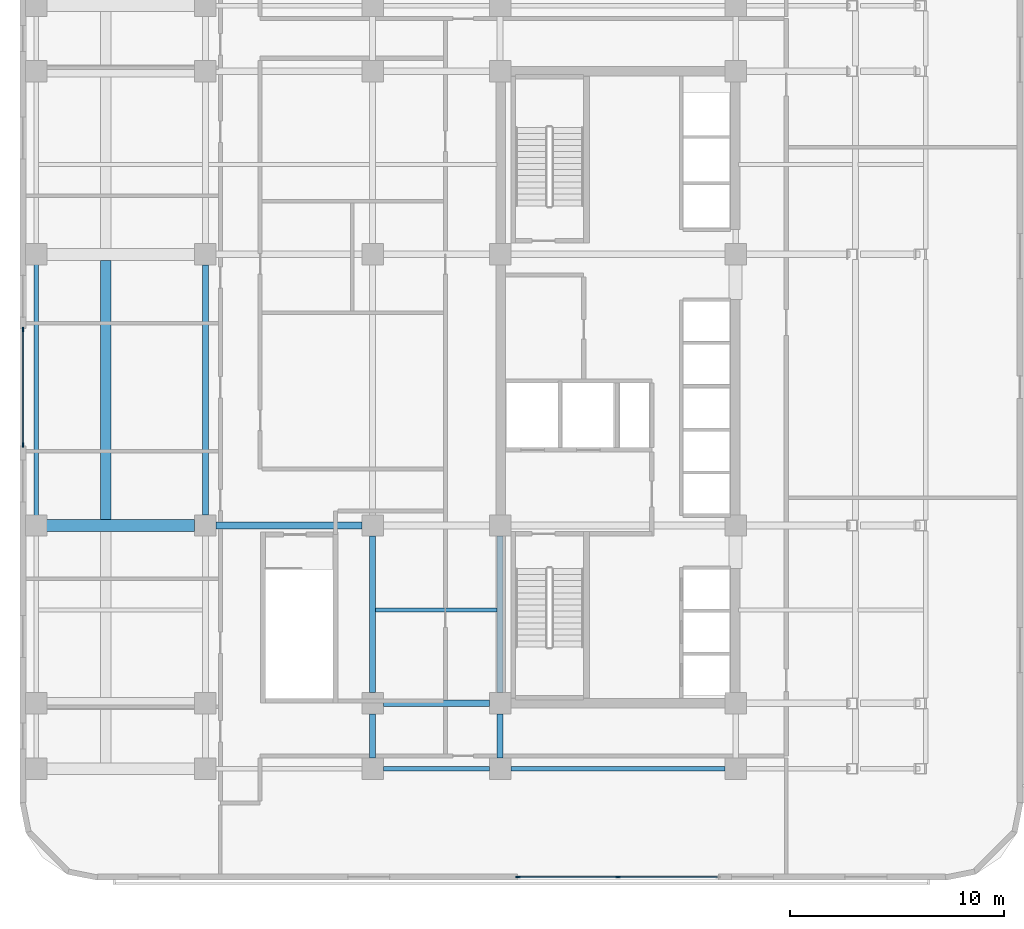
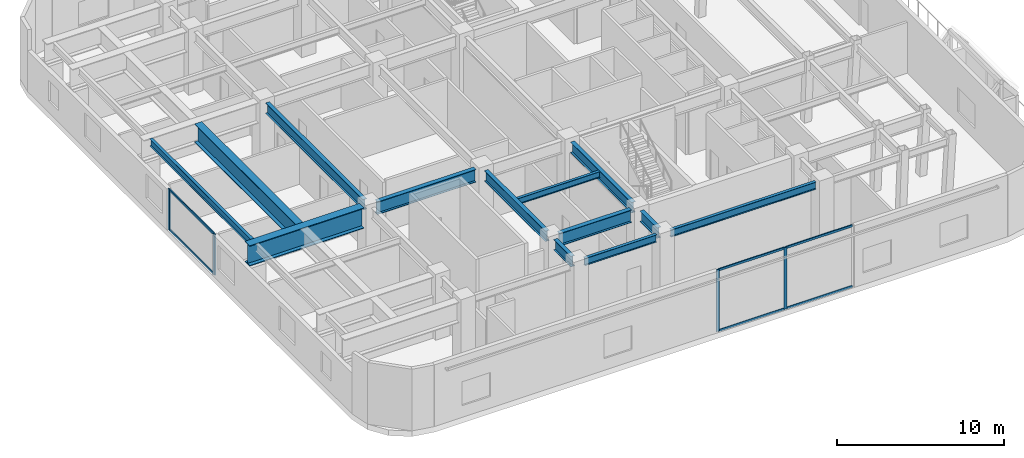
# One storey, part 2 of 18: 13 beams, 10 members, 2 elements without a shape of their own.
"""IFC4 building model written with IfcOpenShell, lengths in metres."""

from ifc_helpers import new_model, si_unit, direction, frame, origin, origin_2d, place, context, subcontext, project, spatial, rectangle, i_section, extrude, material, layer, layer_set, material_profile, profile_set, type_object, element, aggregate, save


model = new_model("IFC4")

# Units and contexts
model_context = context("Model", 3, precision=1e-05, world=origin(), true_north=direction((0.0, 1.0)))
body_context = subcontext(model_context, "Body", "Model", "MODEL_VIEW")
ifc_project = project(units=[si_unit("LENGTHUNIT", "METRE"), si_unit("AREAUNIT", "SQUARE_METRE"), si_unit("VOLUMEUNIT", "CUBIC_METRE"), si_unit("PLANEANGLEUNIT", "RADIAN"), si_unit("MASSUNIT", "GRAM", prefix="KILO")], contexts=[model_context])

# Site, building, storey
site_placement = place(None, origin())
site = spatial("IfcSite", under=ifc_project, at=site_placement, CompositionType="ELEMENT")
building_placement = place(site_placement, origin())
building = spatial("IfcBuilding", under=site, at=building_placement, Name="Ochreholt Gables", CompositionType="ELEMENT")
storey_placement = place(building_placement, frame((0.0, 0.0, 19.199951171875)))
storey = spatial("IfcBuildingStorey", under=building, at=storey_placement, Name="L04", CompositionType="ELEMENT", Elevation=19.199951171875)

# Beams
ifc_material_1 = material(Name="Steel CSA G40.21 350W", Category="steel")
ifc_material_profile_1 = material_profile(ifc_material_1, i_section(OverallWidth=0.26806640625, OverallDepth=0.77001953125, WebThickness=0.015625, FlangeThickness=0.025390625, at=origin_2d()), Name="W760X196")
ifc_profile_set_1 = profile_set([ifc_material_profile_1], Name="Steel CSA G40.21 350W")
beam_type_1 = type_object("IfcBeamType", Name="BM-G-W760", PredefinedType="BEAM", material=ifc_profile_set_1)
beam_1_placement = place(storey_placement, frame((10.449951171875, 18.049560546875, 4.114990234375), z_axis=(0.0, 1.0, 0.0), x_axis=(-1.0, 0.0, 0.0)))
element("IfcBeam", 1, at=beam_1_placement, inside=storey, type_object=beam_type_1, Name="L04 Beam BG-L04-W2-Y3Y4", PredefinedType="BEAM", context=body_context, shape_type="SweptSolid", body=[
    extrude(i_section(OverallWidth=0.26806640625, OverallDepth=0.77001953125, WebThickness=0.015625, FlangeThickness=0.025390625, at=origin_2d()), origin(), (0.0, 0.0, 1.0), 11.65087890625),
])
beam_2_placement = place(storey_placement, frame((18.25, 6.69970703125, 4.114990234375), z_axis=(0.0, 1.0, 0.0), x_axis=(-1.0, 0.0, 0.0)))
element("IfcBeam", 2, at=beam_2_placement, inside=storey, type_object=beam_type_1, Name="L04 Beam BG-L04-W3-Y1Y2", PredefinedType="BEAM", context=body_context, shape_type="SweptSolid", body=[
    extrude(i_section(OverallWidth=0.26806640625, OverallDepth=0.77001953125, WebThickness=0.015625, FlangeThickness=0.025390625, at=origin_2d()), origin(), (0.0, 0.0, 1.0), 2.05078125),
])
beam_3_placement = place(storey_placement, frame((18.25, 9.74951171875, 4.114990234375), z_axis=(0.0, 1.0, 0.0), x_axis=(-1.0, 0.0, 0.0)))
element("IfcBeam", 3, at=beam_3_placement, inside=storey, type_object=beam_type_1, Name="L04 Beam BG-L04-W3-Y2Y3", PredefinedType="BEAM", context=body_context, shape_type="SweptSolid", body=[
    extrude(i_section(OverallWidth=0.26806640625, OverallDepth=0.77001953125, WebThickness=0.015625, FlangeThickness=0.025390625, at=origin_2d()), origin(), (0.0, 0.0, 1.0), 7.30078125),
])
beam_4_placement = place(storey_placement, frame((24.199951171875, 6.69970703125, 4.114990234375), z_axis=(0.0, 1.0, 0.0), x_axis=(-1.0, 0.0, 0.0)))
element("IfcBeam", 4, at=beam_4_placement, inside=storey, type_object=beam_type_1, Name="L04 Beam BG-L04-C1-Y1Y2", PredefinedType="BEAM", context=body_context, shape_type="SweptSolid", body=[
    extrude(i_section(OverallWidth=0.26806640625, OverallDepth=0.77001953125, WebThickness=0.015625, FlangeThickness=0.025390625, at=origin_2d()), origin(), (0.0, 0.0, 1.0), 2.05078125),
])
beam_5_placement = place(storey_placement, frame((24.199951171875, 9.74951171875, 4.114990234375), z_axis=(0.0, 1.0, 0.0), x_axis=(-1.0, 0.0, 0.0)))
element("IfcBeam", 5, at=beam_5_placement, inside=storey, type_object=beam_type_1, Name="L04 Beam BG-L04-C1-Y2Y3", PredefinedType="BEAM", context=body_context, shape_type="SweptSolid", body=[
    extrude(i_section(OverallWidth=0.26806640625, OverallDepth=0.77001953125, WebThickness=0.015625, FlangeThickness=0.025390625, at=origin_2d()), origin(), (0.0, 0.0, 1.0), 7.30078125),
])
ifc_material_profile_2 = material_profile(ifc_material_1, i_section(OverallWidth=0.30810546875, OverallDepth=0.927001953125, WebThickness=0.019287109375, FlangeThickness=0.031982421875, at=origin_2d()), Name="W920X289")
ifc_profile_set_2 = profile_set([ifc_material_profile_2], Name="Steel CSA G40.21 350W")
beam_type_2 = type_object("IfcBeamType", Name="BM-G-W920", PredefinedType="BEAM", material=ifc_profile_set_2)
beam_6_placement = place(storey_placement, frame((18.74951171875, 9.25, 4.03662109375), z_axis=(1.0, 0.0, 0.0), x_axis=(0.0, 1.0, 0.0)))
element("IfcBeam", 6, at=beam_6_placement, inside=storey, type_object=beam_type_2, Name="L04 Beam BG-L04-W3C1-Y2", PredefinedType="BEAM", context=body_context, shape_type="SweptSolid", body=[
    extrude(i_section(OverallWidth=0.30810546875, OverallDepth=0.927001953125, WebThickness=0.019287109375, FlangeThickness=0.031982421875, at=origin_2d()), origin(), (0.0, 0.0, 1.0), 4.950927734375),
])
beam_7_placement = place(storey_placement, frame((10.94970703125, 17.550048828125, 4.03662109375), z_axis=(1.0, 0.0, 0.0), x_axis=(0.0, 1.0, 0.0)))
element("IfcBeam", 7, at=beam_7_placement, inside=storey, type_object=beam_type_2, Name="L04 Beam BG-L04-W2W3-Y3", PredefinedType="BEAM", context=body_context, shape_type="SweptSolid", body=[
    extrude(i_section(OverallWidth=0.30810546875, OverallDepth=0.927001953125, WebThickness=0.019287109375, FlangeThickness=0.031982421875, at=origin_2d()), origin(), (0.0, 0.0, 1.0), 6.80078125),
])
ifc_material_profile_3 = material_profile(ifc_material_1, i_section(OverallWidth=0.18994140625, OverallDepth=0.45703125, WebThickness=0.009033203125, FlangeThickness=0.014404296875, at=origin_2d()), Name="W460X74")
ifc_profile_set_3 = profile_set([ifc_material_profile_3], Name="Steel CSA G40.21 350W")
beam_type_3 = type_object("IfcBeamType", Name="BM-J-W460B", PredefinedType="JOIST", material=ifc_profile_set_3)
beam_8_placement = place(storey_placement, frame((18.383544921875, 13.60009765625, 4.271484375), z_axis=(1.0, 0.0, 0.0), x_axis=(0.0, 1.0, 0.0)))
element("IfcBeam", 8, at=beam_8_placement, inside=storey, type_object=beam_type_3, Name="L04 Beam BJ-L04-J1-W3C1", PredefinedType="JOIST", context=body_context, shape_type="SweptSolid", body=[
    extrude(i_section(OverallWidth=0.18994140625, OverallDepth=0.45703125, WebThickness=0.009033203125, FlangeThickness=0.014404296875, at=origin_2d()), origin(), (0.0, 0.0, 1.0), 5.682861328125),
])
ifc_material_profile_4 = material_profile(ifc_material_1, i_section(OverallWidth=0.208984375, OverallDepth=0.532958984375, WebThickness=0.01025390625, FlangeThickness=0.015625, at=origin_2d()), Name="W530X92")
ifc_profile_set_4 = profile_set([ifc_material_profile_4], Name="Steel CSA G40.21 350W")
beam_type_4 = type_object("IfcBeamType", Name="BM-SP-W530B", PredefinedType="SPANDREL", material=ifc_profile_set_4)
beam_9_placement = place(storey_placement, frame((18.74951171875, 6.199951171875, 4.233642578125), z_axis=(1.0, 0.0, 0.0), x_axis=(0.0, 1.0, 0.0)))
element("IfcBeam", 9, at=beam_9_placement, inside=storey, type_object=beam_type_4, Name="L04 Beam BG-L04-W3C1-Y1", PredefinedType="SPANDREL", context=body_context, shape_type="SweptSolid", body=[
    extrude(i_section(OverallWidth=0.208984375, OverallDepth=0.532958984375, WebThickness=0.01025390625, FlangeThickness=0.015625, at=origin_2d()), origin(), (0.0, 0.0, 1.0), 4.950927734375),
])
beam_10_placement = place(storey_placement, frame((24.69970703125, 6.199951171875, 4.233642578125), z_axis=(1.0, 0.0, 0.0), x_axis=(0.0, 1.0, 0.0)))
element("IfcBeam", 10, at=beam_10_placement, inside=storey, type_object=beam_type_4, Name="L04 Beam BG-L04-C1C2-Y1", PredefinedType="SPANDREL", context=body_context, shape_type="SweptSolid", body=[
    extrude(i_section(OverallWidth=0.208984375, OverallDepth=0.532958984375, WebThickness=0.01025390625, FlangeThickness=0.015625, at=origin_2d()), origin(), (0.0, 0.0, 1.0), 10.000732421875),
])
beam_11_placement = place(storey_placement, frame((2.550048828125, 17.82470703125, 4.233642578125), z_axis=(0.0, 1.0, 0.0), x_axis=(-1.0, 0.0, 0.0)))
element("IfcBeam", 11, at=beam_11_placement, inside=storey, type_object=beam_type_4, Name="L04 Beam BG-L04-W1-Y3Y4", PredefinedType="SPANDREL", context=body_context, shape_type="SweptSolid", body=[
    extrude(i_section(OverallWidth=0.208984375, OverallDepth=0.532958984375, WebThickness=0.01025390625, FlangeThickness=0.015625, at=origin_2d()), origin(), (0.0, 0.0, 1.0), 12.1005859375),
])
ifc_material_profile_5 = material_profile(ifc_material_1, i_section(OverallWidth=0.5, OverallDepth=1.35009765625, WebThickness=0.02490234375, FlangeThickness=0.044921875, at=origin_2d()), Name="WWF1350X500")
ifc_profile_set_5 = profile_set([ifc_material_profile_5], Name="Steel CSA G40.21 350W")
beam_type_5 = type_object("IfcBeamType", Name="BM-TR-WWF1350", PredefinedType="T_BEAM", material=ifc_profile_set_5)
beam_12_placement = place(storey_placement, frame((5.800048828125, 17.82470703125, 3.824951171875), z_axis=(0.0, 1.0, 0.0), x_axis=(-1.0, 0.0, 0.0)))
element("IfcBeam", 12, at=beam_12_placement, inside=storey, type_object=beam_type_5, Name="L04 Beam TRG-NS-Y3Y4-L04", PredefinedType="T_BEAM", context=body_context, shape_type="SweptSolid", body=[
    extrude(i_section(OverallWidth=0.5, OverallDepth=1.35009765625, WebThickness=0.02490234375, FlangeThickness=0.044921875, at=origin_2d()), origin(), (0.0, 0.0, 1.0), 12.1005859375),
])
ifc_material_profile_6 = material_profile(ifc_material_1, i_section(OverallWidth=0.550048828125, OverallDepth=1.5, WebThickness=0.028076171875, FlangeThickness=0.050048828125, at=origin_2d()), Name="WWF1500X550")
ifc_profile_set_6 = profile_set([ifc_material_profile_6], Name="Steel CSA G40.21 350W")
beam_type_6 = type_object("IfcBeamType", Name="BM-TR-WWF1500", PredefinedType="T_BEAM", material=ifc_profile_set_6)
beam_13_placement = place(storey_placement, frame((2.050048828125, 17.550048828125, 3.75), z_axis=(1.0, 0.0, 0.0), x_axis=(0.0, 1.0, 0.0)))
element("IfcBeam", 13, at=beam_13_placement, inside=storey, type_object=beam_type_6, Name="L04 Beam TRG-W-Y3-L04", PredefinedType="T_BEAM", context=body_context, shape_type="SweptSolid", body=[
    extrude(i_section(OverallWidth=0.550048828125, OverallDepth=1.5, WebThickness=0.028076171875, FlangeThickness=0.050048828125, at=origin_2d()), origin(), (0.0, 0.0, 1.0), 7.900390625),
])

# Curtain wall, members
ifc_material_2 = material(Name="Unitised Aluminium and Triple Glazing", Category="aluminium")
ifc_layer = layer(ifc_material_2, 0.199951171875, Name="Unitised Aluminium and Triple Glazing")
ifc_layer_set = layer_set([ifc_layer], Name="Unitised Aluminium and Triple Glazing")
curtain_wall_type = type_object("IfcCurtainWallType", Name="CW-SYS1", PredefinedType="NOTDEFINED", material=ifc_layer_set)
curtain_wall_1_placement = place(storey_placement, origin())
curtain_wall_1 = element("IfcCurtainWall", 14, at=curtain_wall_1_placement, inside=storey, type_object=curtain_wall_type, Name="L04 South Unitised Curtain Wall", PredefinedType="NOTDEFINED")
ifc_material_3 = material(Name="Anodized Aluminium 6063-T6", Category="aluminium")
ifc_material_profile_7 = material_profile(ifc_material_3, rectangle(XDim=0.074951171875, YDim=0.199951171875, at=origin_2d()), Name="CWM75X200")
ifc_profile_set_7 = profile_set([ifc_material_profile_7], Name="Anodized Aluminium 6063-T6")
member_type_1 = type_object("IfcMemberType", Name="CW-MUL-A", PredefinedType="MULLION", material=ifc_profile_set_7)
member_1_placement = place(storey_placement, frame((25.03759765625, 1.14501953125, 0.0), z_axis=(0.0, 0.0, 1.0), x_axis=(0.0, 1.0, 0.0)))
member_1 = element("IfcMember", 15, at=member_1_placement, type_object=member_type_1, Name="CW-1 mullion 1", PredefinedType="MULLION", context=body_context, shape_type="SweptSolid", body=[
    extrude(rectangle(XDim=0.074951171875, YDim=0.199951171875, at=origin_2d()), origin(), (0.0, 0.0, 1.0), 4.5),
])
member_2_placement = place(storey_placement, frame((29.699951171875, 1.14501953125, 0.0), z_axis=(0.0, 0.0, 1.0), x_axis=(0.0, 1.0, 0.0)))
member_2 = element("IfcMember", 16, at=member_2_placement, type_object=member_type_1, Name="CW-1 mullion 2", PredefinedType="MULLION", context=body_context, shape_type="SweptSolid", body=[
    extrude(rectangle(XDim=0.074951171875, YDim=0.199951171875, at=origin_2d()), origin(), (0.0, 0.0, 1.0), 4.5),
])

curtain_wall_2_placement = place(storey_placement, origin())
curtain_wall_2 = element("IfcCurtainWall", 17, at=curtain_wall_2_placement, inside=storey, type_object=curtain_wall_type, Name="L04 West Unitised Curtain Wall", PredefinedType="NOTDEFINED")
member_3_placement = place(storey_placement, frame((1.945068359375, 26.6923828125, 0.0), z_axis=(0.0, 0.0, 1.0), x_axis=(1.0, 0.0, 0.0)))
member_3 = element("IfcMember", 18, at=member_3_placement, type_object=member_type_1, Name="CW-1 mullion 1", PredefinedType="MULLION", context=body_context, shape_type="SweptSolid", body=[
    extrude(rectangle(XDim=0.074951171875, YDim=0.199951171875, at=origin_2d()), origin(), (0.0, 0.0, 1.0), 2.98193359375),
])
member_4_placement = place(storey_placement, frame((1.945068359375, 21.3076171875, 0.0), z_axis=(0.0, 0.0, 1.0), x_axis=(1.0, 0.0, 0.0)))
member_4 = element("IfcMember", 19, at=member_4_placement, type_object=member_type_1, Name="CW-1 mullion 2", PredefinedType="MULLION", context=body_context, shape_type="SweptSolid", body=[
    extrude(rectangle(XDim=0.074951171875, YDim=0.199951171875, at=origin_2d()), origin(), (0.0, 0.0, 1.0), 2.98193359375),
])

# Member
ifc_material_profile_8 = material_profile(ifc_material_3, rectangle(XDim=0.074951171875, YDim=0.159912109375, at=origin_2d()), Name="CWT75X160")
ifc_profile_set_8 = profile_set([ifc_material_profile_8], Name="Anodized Aluminium 6063-T6")
member_type_2 = type_object("IfcMemberType", Name="CW-TRN-A", PredefinedType="USERDEFINED", material=ifc_profile_set_8)
member_5_placement = place(storey_placement, frame((25.074951171875, 1.14501953125, 0.03759765625), z_axis=(1.0, 0.0, 0.0), x_axis=(0.0, 1.0, 0.0)))
member_5 = element("IfcMember", 20, at=member_5_placement, type_object=member_type_2, Name="CW-1 transom 1.1", ObjectType="TRANSOM", PredefinedType="USERDEFINED", context=body_context, shape_type="SweptSolid", body=[
    extrude(rectangle(XDim=0.074951171875, YDim=0.159912109375, at=origin_2d()), origin(), (0.0, 0.0, 1.0), 4.587646484375),
])

member_6_placement = place(storey_placement, frame((25.074951171875, 1.14501953125, 4.462646484375), z_axis=(1.0, 0.0, 0.0), x_axis=(0.0, 1.0, 0.0)))
member_6 = element("IfcMember", 21, at=member_6_placement, type_object=member_type_2, Name="CW-1 transom 1.2", ObjectType="TRANSOM", PredefinedType="USERDEFINED", context=body_context, shape_type="SweptSolid", body=[
    extrude(rectangle(XDim=0.074951171875, YDim=0.159912109375, at=origin_2d()), origin(), (0.0, 0.0, 1.0), 4.587646484375),
])

member_7_placement = place(storey_placement, frame((29.737548828125, 1.14501953125, 0.03759765625), z_axis=(1.0, 0.0, 0.0), x_axis=(0.0, 1.0, 0.0)))
member_7 = element("IfcMember", 22, at=member_7_placement, type_object=member_type_2, Name="CW-1 transom 2.1", ObjectType="TRANSOM", PredefinedType="USERDEFINED", context=body_context, shape_type="SweptSolid", body=[
    extrude(rectangle(XDim=0.074951171875, YDim=0.159912109375, at=origin_2d()), origin(), (0.0, 0.0, 1.0), 4.58740234375),
])

member_8_placement = place(storey_placement, frame((29.737548828125, 1.14501953125, 4.462646484375), z_axis=(1.0, 0.0, 0.0), x_axis=(0.0, 1.0, 0.0)))
member_8 = element("IfcMember", 23, at=member_8_placement, type_object=member_type_2, Name="CW-1 transom 2.2", ObjectType="TRANSOM", PredefinedType="USERDEFINED", context=body_context, shape_type="SweptSolid", body=[
    extrude(rectangle(XDim=0.074951171875, YDim=0.159912109375, at=origin_2d()), origin(), (0.0, 0.0, 1.0), 4.58740234375),
])

aggregate(curtain_wall_1, [member_1, member_2, member_5, member_6, member_7, member_8])

member_9_placement = place(storey_placement, frame((1.945068359375, 26.655029296875, 0.03759765625), z_axis=(0.0, -1.0, 0.0), x_axis=(1.0, 0.0, 0.0)))
member_9 = element("IfcMember", 24, at=member_9_placement, type_object=member_type_2, Name="CW-1 transom 1.1", ObjectType="TRANSOM", PredefinedType="USERDEFINED", context=body_context, shape_type="SweptSolid", body=[
    extrude(rectangle(XDim=0.074951171875, YDim=0.159912109375, at=origin_2d()), origin(), (0.0, 0.0, 1.0), 5.31005859375),
])

member_10_placement = place(storey_placement, frame((1.945068359375, 26.655029296875, 2.944580078125), z_axis=(0.0, -1.0, 0.0), x_axis=(1.0, 0.0, 0.0)))
member_10 = element("IfcMember", 25, at=member_10_placement, type_object=member_type_2, Name="CW-1 transom 1.2", ObjectType="TRANSOM", PredefinedType="USERDEFINED", context=body_context, shape_type="SweptSolid", body=[
    extrude(rectangle(XDim=0.074951171875, YDim=0.159912109375, at=origin_2d()), origin(), (0.0, 0.0, 1.0), 5.31005859375),
])

aggregate(curtain_wall_2, [member_3, member_4, member_9, member_10])

save(model, "model.ifc")
